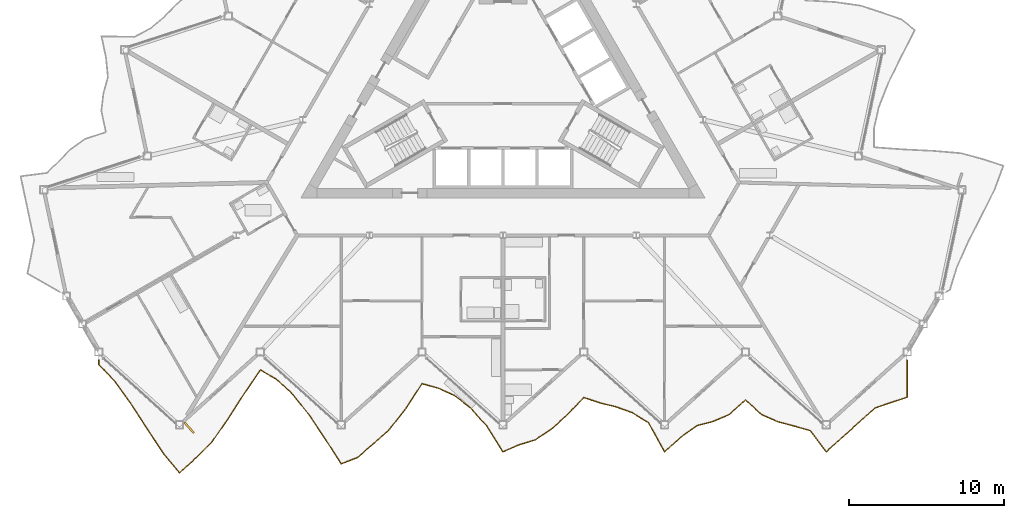
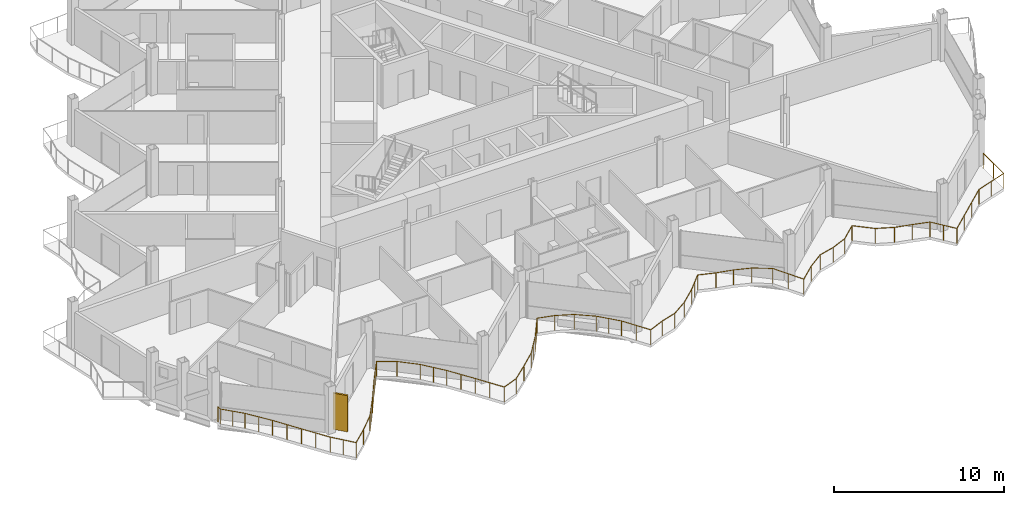
# One storey, part 22 of 26: 1 railing, 1 shading device.
"""IFC4 building model written with IfcOpenShell, lengths in metres."""

from ifc_helpers import new_model, si_unit, direction, frame, origin, origin_2d, place, context, subcontext, project, spatial, rectangle, circle, extrude, material, layer, layer_set, type_object, element, save


model = new_model("IFC4")

# Units and contexts
model_context = context("Model", 3, precision=1e-05, world=origin(), true_north=direction((0.0, 1.0)))
body_context = subcontext(model_context, "Body", "Model", "MODEL_VIEW")
ifc_project = project(units=[si_unit("LENGTHUNIT", "METRE"), si_unit("AREAUNIT", "SQUARE_METRE"), si_unit("VOLUMEUNIT", "CUBIC_METRE"), si_unit("PLANEANGLEUNIT", "RADIAN"), si_unit("MASSUNIT", "GRAM", prefix="KILO")], contexts=[model_context])

# Site, building, storey
site_placement = place(None, origin())
site = spatial("IfcSite", under=ifc_project, at=site_placement, CompositionType="ELEMENT")
building_placement = place(site_placement, origin())
building = spatial("IfcBuilding", under=site, at=building_placement, Name="Cormorant Prow Tower", CompositionType="ELEMENT")
storey_placement = place(building_placement, frame((0.0, 0.0, 398.39990234375)))
storey = spatial("IfcBuildingStorey", under=building, at=storey_placement, Name="L91", CompositionType="ELEMENT", Elevation=398.39990234375)

# Railing
ifc_material_1 = material(Name="Aluminium 6063-T6", Category="aluminium")
railing_type = type_object("IfcRailingType", Name="Balcony guard 1100", PredefinedType="GUARDRAIL", material=ifc_material_1)
railing_placement = place(storey_placement, frame((-26.0, -17.928955078125, 0.0)))
element("IfcRailing", 1, at=railing_placement, inside=storey, type_object=railing_type, Name="Balcony guard S", PredefinedType="GUARDRAIL", context=body_context, shape_type="SweptSolid", body=[
    extrude(circle(Radius=0.02392578125, at=origin_2d()), frame((0.0, 0.0, 1.076171875), z_axis=(0.0, -1.0, 0.0), x_axis=(1.0, 0.0, 0.0)), (0.0, 0.0, 1.0), 0.27001953125),
    extrude(circle(Radius=0.02392578125, at=origin_2d()), frame((0.0, -0.27001953125, 1.076171875), z_axis=(0.680346955526, -0.732890182842, 0.0), x_axis=(0.732890182842, 0.680346955526, 0.0)), (0.0, 0.0, 1.0), 1.52880859375),
    extrude(circle(Radius=0.02392578125, at=origin_2d()), frame((1.0400390625, -1.390380859375, 1.076171875), z_axis=(0.586958540129, -0.809616991033, 0.0), x_axis=(0.809616991033, 0.586958540129, 0.0)), (0.0, 0.0, 1.0), 1.77197265625),
    extrude(circle(Radius=0.02392578125, at=origin_2d()), frame((2.080078125, -2.824951171875, 1.076171875), z_axis=(0.544628800643, -0.838677214136, 0.0), x_axis=(0.838677214136, 0.544628800643, 0.0)), (0.0, 0.0, 1.0), 1.90966796875),
    extrude(circle(Radius=0.02392578125, at=origin_2d()), frame((3.1201171875, -4.426513671875, 1.076171875), z_axis=(0.551439122567, -0.834215136582, 0.0), x_axis=(0.834215136582, 0.551439122567, 0.0)), (0.0, 0.0, 1.0), 1.885498046875),
    extrude(circle(Radius=0.02392578125, at=origin_2d()), frame((4.159912109375, -5.99951171875, 1.076171875), z_axis=(0.638855874401, -0.769326440299, 0.0), x_axis=(0.769326440299, 0.638855874401, 0.0)), (0.0, 0.0, 1.0), 1.6279296875),
    extrude(circle(Radius=0.02392578125, at=origin_2d()), frame((5.199951171875, -7.251953125, 1.076171875), z_axis=(0.743207391022, 0.669061113749, 0.0), x_axis=(-0.669061113749, 0.743207391022, 0.0)), (0.0, 0.0, 1.0), 1.3994140625),
    extrude(circle(Radius=0.02392578125, at=origin_2d()), frame((6.239990234375, -6.315673828125, 1.076171875), z_axis=(0.708934994963, 0.705273828322, 0.0), x_axis=(-0.705273828322, 0.708934994963, 0.0)), (0.0, 0.0, 1.0), 1.467041015625),
    extrude(circle(Radius=0.02392578125, at=origin_2d()), frame((7.280029296875, -5.281005859375, 1.076171875), z_axis=(0.569794074682, 0.821787510527, 0.0), x_axis=(-0.821787510527, 0.569794074682, 0.0)), (0.0, 0.0, 1.0), 1.8251953125),
    extrude(circle(Radius=0.02392578125, at=origin_2d()), frame((8.320068359375, -3.781005859375, 1.076171875), z_axis=(0.541605511338, 0.84063277957, 0.0), x_axis=(-0.84063277957, 0.541605511338, 0.0)), (0.0, 0.0, 1.0), 1.92041015625),
    extrude(circle(Radius=0.02392578125, at=origin_2d()), frame((9.360107421875, -2.166748046875, 1.076171875), z_axis=(0.562385866296, 0.826874922458, 0.0), x_axis=(-0.826874922458, 0.562385866296, 0.0)), (0.0, 0.0, 1.0), 1.848876953125),
    extrude(circle(Radius=0.02392578125, at=origin_2d()), frame((10.39990234375, -0.637939453125, 1.076171875), z_axis=(0.864925429433, -0.501900390037, 0.0), x_axis=(0.501900390037, 0.864925429433, 0.0)), (0.0, 0.0, 1.0), 1.202392578125),
    extrude(circle(Radius=0.02392578125, at=origin_2d()), frame((11.43994140625, -1.241455078125, 1.076171875), z_axis=(0.734314217487, -0.678809715602, 0.0), x_axis=(0.678809715602, 0.734314217487, 0.0)), (0.0, 0.0, 1.0), 1.416259765625),
    extrude(circle(Radius=0.02392578125, at=origin_2d()), frame((12.47998046875, -2.202880859375, 1.076171875), z_axis=(0.621274306619, -0.783593157152, 0.0), x_axis=(0.783593157152, 0.621274306619, 0.0)), (0.0, 0.0, 1.0), 1.674072265625),
    extrude(circle(Radius=0.02392578125, at=origin_2d()), frame((13.52001953125, -3.5146484375, 1.076171875), z_axis=(0.556749375649, -0.830680523856, 0.0), x_axis=(0.830680523856, 0.556749375649, 0.0)), (0.0, 0.0, 1.0), 1.8681640625),
    extrude(circle(Radius=0.02392578125, at=origin_2d()), frame((14.56005859375, -5.06640625, 1.076171875), z_axis=(0.542532920639, -0.84003454097, 0.0), x_axis=(0.84003454097, 0.542532920639, 0.0)), (0.0, 0.0, 1.0), 1.9169921875),
    extrude(circle(Radius=0.02392578125, at=origin_2d()), frame((15.60009765625, -6.6767578125, 1.076171875), z_axis=(0.932615650419, 0.360871235476, 0.0), x_axis=(-0.360871235476, 0.932615650419, 0.0)), (0.0, 0.0, 1.0), 1.114990234375),
    extrude(circle(Radius=0.02392578125, at=origin_2d()), frame((16.639892578125, -6.2744140625, 1.076171875), z_axis=(0.757886081386, 0.652386915597, 0.0), x_axis=(-0.652386915597, 0.757886081386, 0.0)), (0.0, 0.0, 1.0), 1.372314453125),
    extrude(circle(Radius=0.02392578125, at=origin_2d()), frame((17.679931640625, -5.379150390625, 1.076171875), z_axis=(0.743120643554, 0.66915746213, 0.0), x_axis=(-0.66915746213, 0.743120643554, 0.0)), (0.0, 0.0, 1.0), 1.399658203125),
    extrude(circle(Radius=0.02392578125, at=origin_2d()), frame((18.719970703125, -4.442626953125, 1.076171875), z_axis=(0.616331667803, 0.787486682594, 0.0), x_axis=(-0.787486682594, 0.616331667803, 0.0)), (0.0, 0.0, 1.0), 1.6875),
    extrude(circle(Radius=0.02392578125, at=origin_2d()), frame((19.760009765625, -3.11376953125, 1.076171875), z_axis=(0.547737728888, 0.836650094336, 0.0), x_axis=(-0.836650094336, 0.547737728888, 0.0)), (0.0, 0.0, 1.0), 1.898681640625),
    extrude(circle(Radius=0.02392578125, at=origin_2d()), frame((20.800048828125, -1.525146484375, 1.076171875), z_axis=(0.964925678892, -0.262523207004, 0.0), x_axis=(0.262523207004, 0.964925678892, 0.0)), (0.0, 0.0, 1.0), 1.077880859375),
    extrude(circle(Radius=0.02392578125, at=origin_2d()), frame((21.840087890625, -1.80810546875, 1.076171875), z_axis=(0.910036897337, -0.41452725542, 0.0), x_axis=(0.41452725542, 0.910036897337, 0.0)), (0.0, 0.0, 1.0), 1.142578125),
    extrude(circle(Radius=0.02392578125, at=origin_2d()), frame((22.8798828125, -2.28173828125, 1.076171875), z_axis=(0.792347332052, -0.610070246275, 0.0), x_axis=(0.610070246275, 0.792347332052, 0.0)), (0.0, 0.0, 1.0), 1.3125),
    extrude(circle(Radius=0.02392578125, at=origin_2d()), frame((23.919921875, -3.08251953125, 1.076171875), z_axis=(0.664944939927, -0.746892379707, 0.0), x_axis=(0.746892379707, 0.664944939927, 0.0)), (0.0, 0.0, 1.0), 1.564208984375),
    extrude(circle(Radius=0.02392578125, at=origin_2d()), frame((24.9599609375, -4.250732421875, 1.076171875), z_axis=(0.532919439431, -0.846165983172, 0.0), x_axis=(0.846165983172, 0.532919439431, 0.0)), (0.0, 0.0, 1.0), 1.95166015625),
    extrude(circle(Radius=0.02392578125, at=origin_2d()), frame((26.0, -5.902099609375, 1.076171875), z_axis=(0.918496962037, 0.39542803483, 0.0), x_axis=(-0.39542803483, 0.918496962037, 0.0)), (0.0, 0.0, 1.0), 1.13232421875),
    extrude(circle(Radius=0.02392578125, at=origin_2d()), frame((27.0400390625, -5.454345703125, 1.076171875), z_axis=(0.956079368458, 0.293107900283, 0.0), x_axis=(-0.293107900283, 0.956079368458, 0.0)), (0.0, 0.0, 1.0), 1.087890625),
    extrude(circle(Radius=0.02392578125, at=origin_2d()), frame((28.080078125, -5.135498046875, 1.076171875), z_axis=(0.832230582023, 0.554429669432, 0.0), x_axis=(-0.554429669432, 0.832230582023, 0.0)), (0.0, 0.0, 1.0), 1.249755859375),
    extrude(circle(Radius=0.02392578125, at=origin_2d()), frame((29.1201171875, -4.442626953125, 1.076171875), z_axis=(0.743129279254, 0.669147871786, 0.0), x_axis=(-0.669147871786, 0.743129279254, 0.0)), (0.0, 0.0, 1.0), 1.399169921875),
    extrude(circle(Radius=0.02392578125, at=origin_2d()), frame((30.159912109375, -3.50634765625, 1.076171875), z_axis=(0.688040263562, 0.72567251272, 0.0), x_axis=(-0.72567251272, 0.688040263562, 0.0)), (0.0, 0.0, 1.0), 1.511474609375),
    extrude(circle(Radius=0.02392578125, at=origin_2d()), frame((31.199951171875, -2.409423828125, 1.076171875), z_axis=(0.948683298051, -0.316227766017, 0.0), x_axis=(0.316227766017, 0.948683298051, 0.0)), (0.0, 0.0, 1.0), 1.09619140625),
    extrude(circle(Radius=0.02392578125, at=origin_2d()), frame((32.239990234375, -2.756103515625, 1.076171875), z_axis=(0.970463258891, -0.241248965062, 0.0), x_axis=(0.241248965062, 0.970463258891, 0.0)), (0.0, 0.0, 1.0), 1.07177734375),
    extrude(circle(Radius=0.02392578125, at=origin_2d()), frame((33.280029296875, -3.0146484375, 1.076171875), z_axis=(0.942191416982, -0.335075116603, 0.0), x_axis=(0.335075116603, 0.942191416982, 0.0)), (0.0, 0.0, 1.0), 1.103759765625),
    extrude(circle(Radius=0.02392578125, at=origin_2d()), frame((34.320068359375, -3.384521484375, 1.076171875), z_axis=(0.848758567677, -0.528780572445, 0.0), x_axis=(0.528780572445, 0.848758567677, 0.0)), (0.0, 0.0, 1.0), 1.225341796875),
    extrude(circle(Radius=0.02392578125, at=origin_2d()), frame((35.360107421875, -4.032470703125, 1.076171875), z_axis=(0.48604015033, -0.873936480682, 0.0), x_axis=(0.873936480682, 0.48604015033, 0.0)), (0.0, 0.0, 1.0), 2.139404296875),
    extrude(circle(Radius=0.02392578125, at=origin_2d()), frame((36.39990234375, -5.902099609375, 1.076171875), z_axis=(0.743120643554, 0.66915746213, 0.0), x_axis=(-0.66915746213, 0.743120643554, 0.0)), (0.0, 0.0, 1.0), 1.399658203125),
    extrude(circle(Radius=0.02392578125, at=origin_2d()), frame((37.43994140625, -4.965576171875, 1.076171875), z_axis=(0.81326884026, 0.581888127961, 0.0), x_axis=(-0.581888127961, 0.81326884026, 0.0)), (0.0, 0.0, 1.0), 1.27880859375),
    extrude(circle(Radius=0.02392578125, at=origin_2d()), frame((38.47998046875, -4.221435546875, 1.076171875), z_axis=(0.967855696757, 0.251506163453, 0.0), x_axis=(-0.251506163453, 0.967855696757, 0.0)), (0.0, 0.0, 1.0), 1.074462890625),
    extrude(circle(Radius=0.02392578125, at=origin_2d()), frame((39.52001953125, -3.951171875, 1.076171875), z_axis=(0.9194350344, 0.393241932553, 0.0), x_axis=(-0.393241932553, 0.9194350344, 0.0)), (0.0, 0.0, 1.0), 1.131103515625),
    extrude(circle(Radius=0.02392578125, at=origin_2d()), frame((40.56005859375, -3.50634765625, 1.076171875), z_axis=(0.743120643554, 0.66915746213, 0.0), x_axis=(-0.66915746213, 0.743120643554, 0.0)), (0.0, 0.0, 1.0), 1.399658203125),
    extrude(circle(Radius=0.02392578125, at=origin_2d()), frame((41.60009765625, -2.56982421875, 1.076171875), z_axis=(0.74304251841, -0.669244212403, 0.0), x_axis=(0.669244212403, 0.74304251841, 0.0)), (0.0, 0.0, 1.0), 1.3994140625),
    extrude(circle(Radius=0.02392578125, at=origin_2d()), frame((42.639892578125, -3.50634765625, 1.076171875), z_axis=(0.913280331997, -0.407331603473, 0.0), x_axis=(0.407331603473, 0.913280331997, 0.0)), (0.0, 0.0, 1.0), 1.138916015625),
    extrude(circle(Radius=0.02392578125, at=origin_2d()), frame((43.679931640625, -3.97021484375, 1.076171875), z_axis=(0.967411967632, -0.253207592467, 0.0), x_axis=(0.253207592467, 0.967411967632, 0.0)), (0.0, 0.0, 1.0), 1.0751953125),
    extrude(circle(Radius=0.02392578125, at=origin_2d()), frame((44.719970703125, -4.242431640625, 1.076171875), z_axis=(0.961353446011, -0.275317184069, 0.0), x_axis=(0.275317184069, 0.961353446011, 0.0)), (0.0, 0.0, 1.0), 1.081787109375),
    extrude(circle(Radius=0.02392578125, at=origin_2d()), frame((45.760009765625, -4.540283203125, 1.076171875), z_axis=(0.606952873848, -0.79473782402, 0.0), x_axis=(0.79473782402, 0.606952873848, 0.0)), (0.0, 0.0, 1.0), 1.713623046875),
    extrude(circle(Radius=0.02392578125, at=origin_2d()), frame((46.800048828125, -5.902099609375, 1.076171875), z_axis=(0.743120643554, 0.66915746213, 0.0), x_axis=(-0.66915746213, 0.743120643554, 0.0)), (0.0, 0.0, 1.0), 1.399658203125),
    extrude(circle(Radius=0.02392578125, at=origin_2d()), frame((47.840087890625, -4.965576171875, 1.076171875), z_axis=(0.743129279254, 0.669147871786, 0.0), x_axis=(-0.669147871786, 0.743129279254, 0.0)), (0.0, 0.0, 1.0), 1.399169921875),
    extrude(circle(Radius=0.02392578125, at=origin_2d()), frame((48.8798828125, -4.029296875, 1.076171875), z_axis=(0.743120643554, 0.66915746213, 0.0), x_axis=(-0.66915746213, 0.743120643554, 0.0)), (0.0, 0.0, 1.0), 1.399658203125),
    extrude(circle(Radius=0.02392578125, at=origin_2d()), frame((49.919921875, -3.0927734375, 1.076171875), z_axis=(0.945712189176, 0.325005315717, 0.0), x_axis=(-0.325005315717, 0.945712189176, 0.0)), (0.0, 0.0, 1.0), 1.099853515625),
    extrude(circle(Radius=0.02392578125, at=origin_2d()), frame((50.9599609375, -2.7353515625, 1.076171875), z_axis=(0.950211136392, 0.311606797545, 0.0), x_axis=(-0.311606797545, 0.950211136392, 0.0)), (0.0, 0.0, 1.0), 1.094482421875),
    extrude(circle(Radius=0.02392578125, at=origin_2d()), frame((52.0, -2.394287109375, 1.076171875), z_axis=(0.0, 1.0, 0.0), x_axis=(-1.0, 0.0, 0.0)), (0.0, 0.0, 1.0), 2.394287109375),
    extrude(circle(Radius=0.02099609375, at=origin_2d()), origin(), (0.0, 0.0, 1.0), 1.052001953125),
    extrude(circle(Radius=0.02099609375, at=origin_2d()), frame((0.0, -0.27001953125, 0.0)), (0.0, 0.0, 1.0), 1.052001953125),
    extrude(circle(Radius=0.02099609375, at=origin_2d()), frame((0.52001953125, -0.830078125, 0.0)), (0.0, 0.0, 1.0), 1.052001953125),
    extrude(circle(Radius=0.02099609375, at=origin_2d()), frame((1.0400390625, -1.390380859375, 0.0)), (0.0, 0.0, 1.0), 1.052001953125),
    extrude(circle(Radius=0.02099609375, at=origin_2d()), frame((1.56005859375, -2.107666015625, 0.0)), (0.0, 0.0, 1.0), 1.052001953125),
    extrude(circle(Radius=0.02099609375, at=origin_2d()), frame((2.080078125, -2.824951171875, 0.0)), (0.0, 0.0, 1.0), 1.052001953125),
    extrude(circle(Radius=0.02099609375, at=origin_2d()), frame((2.60009765625, -3.625732421875, 0.0)), (0.0, 0.0, 1.0), 1.052001953125),
    extrude(circle(Radius=0.02099609375, at=origin_2d()), frame((3.1201171875, -4.426513671875, 0.0)), (0.0, 0.0, 1.0), 1.052001953125),
    extrude(circle(Radius=0.02099609375, at=origin_2d()), frame((3.64013671875, -5.212890625, 0.0)), (0.0, 0.0, 1.0), 1.052001953125),
    extrude(circle(Radius=0.02099609375, at=origin_2d()), frame((4.159912109375, -5.99951171875, 0.0)), (0.0, 0.0, 1.0), 1.052001953125),
    extrude(circle(Radius=0.02099609375, at=origin_2d()), frame((4.679931640625, -6.625732421875, 0.0)), (0.0, 0.0, 1.0), 1.052001953125),
    extrude(circle(Radius=0.02099609375, at=origin_2d()), frame((5.199951171875, -7.251953125, 0.0)), (0.0, 0.0, 1.0), 1.052001953125),
    extrude(circle(Radius=0.02099609375, at=origin_2d()), frame((6.239990234375, -6.315673828125, 0.0)), (0.0, 0.0, 1.0), 1.052001953125),
    extrude(circle(Radius=0.02099609375, at=origin_2d()), frame((7.280029296875, -5.281005859375, 0.0)), (0.0, 0.0, 1.0), 1.052001953125),
    extrude(circle(Radius=0.02099609375, at=origin_2d()), frame((7.800048828125, -4.531005859375, 0.0)), (0.0, 0.0, 1.0), 1.052001953125),
    extrude(circle(Radius=0.02099609375, at=origin_2d()), frame((8.320068359375, -3.781005859375, 0.0)), (0.0, 0.0, 1.0), 1.052001953125),
    extrude(circle(Radius=0.02099609375, at=origin_2d()), frame((8.840087890625, -2.973876953125, 0.0)), (0.0, 0.0, 1.0), 1.052001953125),
    extrude(circle(Radius=0.02099609375, at=origin_2d()), frame((9.360107421875, -2.166748046875, 0.0)), (0.0, 0.0, 1.0), 1.052001953125),
    extrude(circle(Radius=0.02099609375, at=origin_2d()), frame((9.8798828125, -1.40234375, 0.0)), (0.0, 0.0, 1.0), 1.052001953125),
    extrude(circle(Radius=0.02099609375, at=origin_2d()), frame((10.39990234375, -0.637939453125, 0.0)), (0.0, 0.0, 1.0), 1.052001953125),
    extrude(circle(Radius=0.02099609375, at=origin_2d()), frame((11.43994140625, -1.241455078125, 0.0)), (0.0, 0.0, 1.0), 1.052001953125),
    extrude(circle(Radius=0.02099609375, at=origin_2d()), frame((12.47998046875, -2.202880859375, 0.0)), (0.0, 0.0, 1.0), 1.052001953125),
    extrude(circle(Radius=0.02099609375, at=origin_2d()), frame((13.0, -2.85888671875, 0.0)), (0.0, 0.0, 1.0), 1.052001953125),
    extrude(circle(Radius=0.02099609375, at=origin_2d()), frame((13.52001953125, -3.5146484375, 0.0)), (0.0, 0.0, 1.0), 1.052001953125),
    extrude(circle(Radius=0.02099609375, at=origin_2d()), frame((14.0400390625, -4.29052734375, 0.0)), (0.0, 0.0, 1.0), 1.052001953125),
    extrude(circle(Radius=0.02099609375, at=origin_2d()), frame((14.56005859375, -5.06640625, 0.0)), (0.0, 0.0, 1.0), 1.052001953125),
    extrude(circle(Radius=0.02099609375, at=origin_2d()), frame((15.080078125, -5.87158203125, 0.0)), (0.0, 0.0, 1.0), 1.052001953125),
    extrude(circle(Radius=0.02099609375, at=origin_2d()), frame((15.60009765625, -6.6767578125, 0.0)), (0.0, 0.0, 1.0), 1.052001953125),
    extrude(circle(Radius=0.02099609375, at=origin_2d()), frame((16.639892578125, -6.2744140625, 0.0)), (0.0, 0.0, 1.0), 1.052001953125),
    extrude(circle(Radius=0.02099609375, at=origin_2d()), frame((17.679931640625, -5.379150390625, 0.0)), (0.0, 0.0, 1.0), 1.052001953125),
    extrude(circle(Radius=0.02099609375, at=origin_2d()), frame((18.719970703125, -4.442626953125, 0.0)), (0.0, 0.0, 1.0), 1.052001953125),
    extrude(circle(Radius=0.02099609375, at=origin_2d()), frame((19.239990234375, -3.7783203125, 0.0)), (0.0, 0.0, 1.0), 1.052001953125),
    extrude(circle(Radius=0.02099609375, at=origin_2d()), frame((19.760009765625, -3.11376953125, 0.0)), (0.0, 0.0, 1.0), 1.052001953125),
    extrude(circle(Radius=0.02099609375, at=origin_2d()), frame((20.280029296875, -2.3193359375, 0.0)), (0.0, 0.0, 1.0), 1.052001953125),
    extrude(circle(Radius=0.02099609375, at=origin_2d()), frame((20.800048828125, -1.525146484375, 0.0)), (0.0, 0.0, 1.0), 1.052001953125),
    extrude(circle(Radius=0.02099609375, at=origin_2d()), frame((21.840087890625, -1.80810546875, 0.0)), (0.0, 0.0, 1.0), 1.052001953125),
    extrude(circle(Radius=0.02099609375, at=origin_2d()), frame((22.8798828125, -2.28173828125, 0.0)), (0.0, 0.0, 1.0), 1.052001953125),
    extrude(circle(Radius=0.02099609375, at=origin_2d()), frame((23.919921875, -3.08251953125, 0.0)), (0.0, 0.0, 1.0), 1.052001953125),
    extrude(circle(Radius=0.02099609375, at=origin_2d()), frame((24.43994140625, -3.66650390625, 0.0)), (0.0, 0.0, 1.0), 1.052001953125),
    extrude(circle(Radius=0.02099609375, at=origin_2d()), frame((24.9599609375, -4.250732421875, 0.0)), (0.0, 0.0, 1.0), 1.052001953125),
    extrude(circle(Radius=0.02099609375, at=origin_2d()), frame((25.47998046875, -5.076416015625, 0.0)), (0.0, 0.0, 1.0), 1.052001953125),
    extrude(circle(Radius=0.02099609375, at=origin_2d()), frame((26.0, -5.902099609375, 0.0)), (0.0, 0.0, 1.0), 1.052001953125),
    extrude(circle(Radius=0.02099609375, at=origin_2d()), frame((27.0400390625, -5.454345703125, 0.0)), (0.0, 0.0, 1.0), 1.052001953125),
    extrude(circle(Radius=0.02099609375, at=origin_2d()), frame((28.080078125, -5.135498046875, 0.0)), (0.0, 0.0, 1.0), 1.052001953125),
    extrude(circle(Radius=0.02099609375, at=origin_2d()), frame((29.1201171875, -4.442626953125, 0.0)), (0.0, 0.0, 1.0), 1.052001953125),
    extrude(circle(Radius=0.02099609375, at=origin_2d()), frame((30.159912109375, -3.50634765625, 0.0)), (0.0, 0.0, 1.0), 1.052001953125),
    extrude(circle(Radius=0.02099609375, at=origin_2d()), frame((30.679931640625, -2.9580078125, 0.0)), (0.0, 0.0, 1.0), 1.052001953125),
    extrude(circle(Radius=0.02099609375, at=origin_2d()), frame((31.199951171875, -2.409423828125, 0.0)), (0.0, 0.0, 1.0), 1.052001953125),
    extrude(circle(Radius=0.02099609375, at=origin_2d()), frame((32.239990234375, -2.756103515625, 0.0)), (0.0, 0.0, 1.0), 1.052001953125),
    extrude(circle(Radius=0.02099609375, at=origin_2d()), frame((33.280029296875, -3.0146484375, 0.0)), (0.0, 0.0, 1.0), 1.052001953125),
    extrude(circle(Radius=0.02099609375, at=origin_2d()), frame((34.320068359375, -3.384521484375, 0.0)), (0.0, 0.0, 1.0), 1.052001953125),
    extrude(circle(Radius=0.02099609375, at=origin_2d()), frame((35.360107421875, -4.032470703125, 0.0)), (0.0, 0.0, 1.0), 1.052001953125),
    extrude(circle(Radius=0.02099609375, at=origin_2d()), frame((35.8798828125, -4.96728515625, 0.0)), (0.0, 0.0, 1.0), 1.052001953125),
    extrude(circle(Radius=0.02099609375, at=origin_2d()), frame((36.39990234375, -5.902099609375, 0.0)), (0.0, 0.0, 1.0), 1.052001953125),
    extrude(circle(Radius=0.02099609375, at=origin_2d()), frame((37.43994140625, -4.965576171875, 0.0)), (0.0, 0.0, 1.0), 1.052001953125),
    extrude(circle(Radius=0.02099609375, at=origin_2d()), frame((38.47998046875, -4.221435546875, 0.0)), (0.0, 0.0, 1.0), 1.052001953125),
    extrude(circle(Radius=0.02099609375, at=origin_2d()), frame((39.52001953125, -3.951171875, 0.0)), (0.0, 0.0, 1.0), 1.052001953125),
    extrude(circle(Radius=0.02099609375, at=origin_2d()), frame((40.56005859375, -3.50634765625, 0.0)), (0.0, 0.0, 1.0), 1.052001953125),
    extrude(circle(Radius=0.02099609375, at=origin_2d()), frame((41.60009765625, -2.56982421875, 0.0)), (0.0, 0.0, 1.0), 1.052001953125),
    extrude(circle(Radius=0.02099609375, at=origin_2d()), frame((42.639892578125, -3.50634765625, 0.0)), (0.0, 0.0, 1.0), 1.052001953125),
    extrude(circle(Radius=0.02099609375, at=origin_2d()), frame((43.679931640625, -3.97021484375, 0.0)), (0.0, 0.0, 1.0), 1.052001953125),
    extrude(circle(Radius=0.02099609375, at=origin_2d()), frame((44.719970703125, -4.242431640625, 0.0)), (0.0, 0.0, 1.0), 1.052001953125),
    extrude(circle(Radius=0.02099609375, at=origin_2d()), frame((45.760009765625, -4.540283203125, 0.0)), (0.0, 0.0, 1.0), 1.052001953125),
    extrude(circle(Radius=0.02099609375, at=origin_2d()), frame((46.280029296875, -5.22119140625, 0.0)), (0.0, 0.0, 1.0), 1.052001953125),
    extrude(circle(Radius=0.02099609375, at=origin_2d()), frame((46.800048828125, -5.902099609375, 0.0)), (0.0, 0.0, 1.0), 1.052001953125),
    extrude(circle(Radius=0.02099609375, at=origin_2d()), frame((47.840087890625, -4.965576171875, 0.0)), (0.0, 0.0, 1.0), 1.052001953125),
    extrude(circle(Radius=0.02099609375, at=origin_2d()), frame((48.8798828125, -4.029296875, 0.0)), (0.0, 0.0, 1.0), 1.052001953125),
    extrude(circle(Radius=0.02099609375, at=origin_2d()), frame((49.919921875, -3.0927734375, 0.0)), (0.0, 0.0, 1.0), 1.052001953125),
    extrude(circle(Radius=0.02099609375, at=origin_2d()), frame((50.9599609375, -2.7353515625, 0.0)), (0.0, 0.0, 1.0), 1.052001953125),
    extrude(circle(Radius=0.02099609375, at=origin_2d()), frame((52.0, -2.394287109375, 0.0)), (0.0, 0.0, 1.0), 1.052001953125),
    extrude(circle(Radius=0.02099609375, at=origin_2d()), frame((52.0, -1.197265625, 0.0)), (0.0, 0.0, 1.0), 1.052001953125),
    extrude(circle(Radius=0.02099609375, at=origin_2d()), frame((52.0, 0.0, 0.0)), (0.0, 0.0, 1.0), 1.052001953125),
])

# Shading device
ifc_material_2 = material(Name="Terracotta", Category="masonry")
ifc_layer = layer(ifc_material_2, 0.1201171875)
ifc_layer_set = layer_set([ifc_layer], Name="Terracotta")
shading_device_type = type_object("IfcShadingDeviceType", Name="Terracotta baguette fin 120x900x2600", PredefinedType="USERDEFINED", material=ifc_layer_set)
shading_device_placement = place(storey_placement, frame((-20.182373046875, -22.2802734375, 0.0), z_axis=(0.0, 0.0, 1.0), x_axis=(0.743144827638, 0.669130603959, 0.0)))
element("IfcShadingDevice", 2, at=shading_device_placement, inside=storey, type_object=shading_device_type, Name="Baguette fin S01", ObjectType="BAGUETTE", PredefinedType="USERDEFINED", context=body_context, shape_type="SweptSolid", body=[
    extrude(rectangle(XDim=0.1201171875, YDim=0.89990234375, at=origin_2d()), origin(), (0.0, 0.0, 1.0), 2.60009765625),
])

save(model, "model.ifc")
